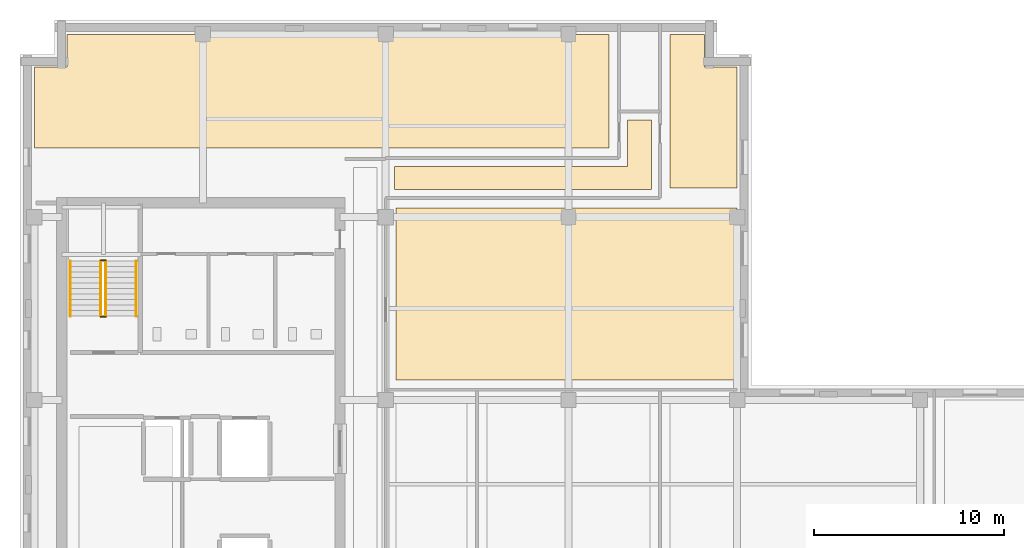
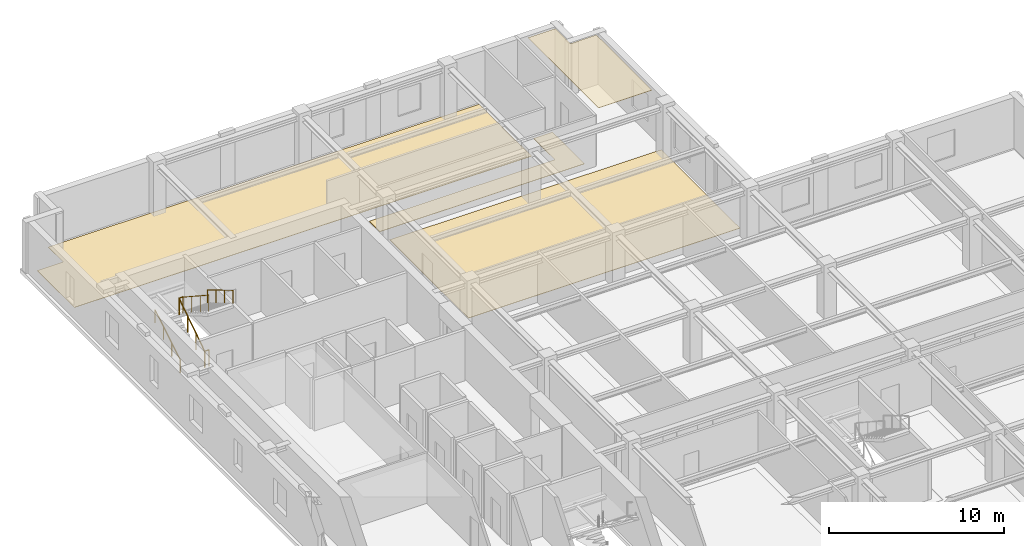
# One storey, part 9 of 10: 6 railings, 4 coverings.
"""IFC4 building model written with IfcOpenShell, lengths in metres."""

from ifc_helpers import new_model, si_unit, direction, frame, origin, origin_2d, place, context, subcontext, project, spatial, polyline, circle, outline, extrude, material, layer, layer_set, type_object, element, save


model = new_model("IFC4")

# Units and contexts
model_context = context("Model", 3, precision=1e-05, world=origin(), true_north=direction((0.0, 1.0)))
body_context = subcontext(model_context, "Body", "Model", "MODEL_VIEW")
ifc_project = project(units=[si_unit("LENGTHUNIT", "METRE"), si_unit("AREAUNIT", "SQUARE_METRE"), si_unit("VOLUMEUNIT", "CUBIC_METRE"), si_unit("PLANEANGLEUNIT", "RADIAN"), si_unit("MASSUNIT", "GRAM", prefix="KILO")], contexts=[model_context])

# Site, building, storey
site_placement = place(None, origin())
site = spatial("IfcSite", under=ifc_project, at=site_placement, CompositionType="ELEMENT")
building_placement = place(site_placement, origin())
building = spatial("IfcBuilding", under=site, at=building_placement, Name="Norrvale University Quadrangle", CompositionType="ELEMENT")
storey_placement = place(building_placement, frame((0.0, 0.0, 229.39990234375)))
storey = spatial("IfcBuildingStorey", under=building, at=storey_placement, Name="L58", CompositionType="ELEMENT", Elevation=229.39990234375)

# Coverings
ifc_material_1 = material(Name="Perforated Acoustic Mineral Ceiling")
ifc_layer_1 = layer(ifc_material_1, 0.02490234375, Name="Perforated Acoustic Mineral Ceiling")
ifc_layer_set_1 = layer_set([ifc_layer_1], Name="Perforated Acoustic Mineral Ceiling")
covering_type_1 = type_object("IfcCoveringType", Name="Covering Acoustic Ceiling 25", PredefinedType="CEILING", material=ifc_layer_set_1)
covering_1_placement = place(storey_placement, frame((0.0, 0.0, 3.51513671875)))
element("IfcCovering", 1, at=covering_1_placement, inside=storey, type_object=covering_type_1, Name="Acoustic Ceiling RM-L58-NE01", PredefinedType="CEILING", context=body_context, shape_type="SweptSolid", body=[
    extrude(outline(polyline([(37.64990234375, 48.780029296875), (34.1298828125, 48.780029296875), (34.1298828125, 56.85009765625), (35.929931640625, 56.85009765625), (35.929931640625, 55.1298828125), (37.64990234375, 55.1298828125), (37.64990234375, 48.780029296875)])), origin(), (0.0, 0.0, 1.0), 0.02490234375),
])
ifc_material_2 = material(Name="Polished Terrazzo Flooring")
ifc_layer_2 = layer(ifc_material_2, 0.02490234375, Name="Polished Terrazzo Flooring")
ifc_layer_set_2 = layer_set([ifc_layer_2], Name="Polished Terrazzo Flooring")
covering_type_2 = type_object("IfcCoveringType", Name="Covering Terrazzo Floor 30", PredefinedType="FLOORING", material=ifc_layer_set_2)
covering_2_placement = place(storey_placement, origin())
element("IfcCovering", 2, at=covering_2_placement, inside=storey, type_object=covering_type_2, Name="Terrazzo Flooring RM-L58-NCJOG", PredefinedType="FLOORING", context=body_context, shape_type="SweptSolid", body=[
    extrude(outline(polyline([(19.64990234375, 48.699951171875), (19.64990234375, 49.89990234375), (31.89990234375, 49.89990234375), (31.89990234375, 52.35009765625), (33.14990234375, 52.35009765625), (33.14990234375, 48.699951171875), (19.64990234375, 48.699951171875)])), origin(), (0.0, 0.0, 1.0), 0.025146484375),
])
covering_3_placement = place(storey_placement, origin())
element("IfcCovering", 3, at=covering_3_placement, inside=storey, type_object=covering_type_2, Name="Terrazzo Flooring RM-L58-MNE01", PredefinedType="FLOORING", context=body_context, shape_type="SweptSolid", body=[
    extrude(outline(polyline([(19.72998046875, 47.719970703125), (37.64990234375, 47.719970703125), (37.64990234375, 38.7099609375), (19.72998046875, 38.7099609375), (19.72998046875, 47.719970703125)])), origin(), (0.0, 0.0, 1.0), 0.025146484375),
])
covering_4_placement = place(storey_placement, origin())
element("IfcCovering", 4, at=covering_4_placement, inside=storey, type_object=covering_type_2, Name="Terrazzo Flooring RM-L58-NW01", PredefinedType="FLOORING", context=body_context, shape_type="SweptSolid", body=[
    extrude(outline(polyline([(30.919921875, 56.85009765625), (30.919921875, 50.8798828125), (0.75, 50.8798828125), (0.75, 55.1298828125), (2.469970703125, 55.1298828125), (2.469970703125, 56.85009765625), (30.919921875, 56.85009765625)])), origin(), (0.0, 0.0, 1.0), 0.025146484375),
])

# Railings
ifc_material_3 = material(Name="Steel 350W Painted Balustrade", Category="steel")
railing_type_1 = type_object("IfcRailingType", Name="Railing Stair Guard 1100", PredefinedType="GUARDRAIL", material=ifc_material_3)
for number, where, name in (
    (5, (4.239990234375, 42.02001953125, 0.0), "Stair Floor Well Guard ST-02 L58"),
    (6, (4.239990234375, 44.97998046875, 1.900146484375), "Stair Mid-Landing Slot Guard ST-02 L58"),
):
    element("IfcRailing", number, at=place(storey_placement, frame(where)), inside=storey, type_object=railing_type_1, Name=name, PredefinedType="GUARDRAIL", context=body_context, shape_type="SweptSolid", body=[
        extrude(circle(Radius=0.02392578125, at=origin_2d()), frame((0.0, 0.0, 1.1259765625), z_axis=(1.0, 0.0, 0.0), x_axis=(0.0, 1.0, 0.0)), (0.0, 0.0, 1.0), 0.27001953125),
        extrude(circle(Radius=0.02099609375, at=origin_2d()), origin(), (0.0, 0.0, 1.0), 1.101806640625),
        extrude(circle(Radius=0.02099609375, at=origin_2d()), frame((0.27001953125, 0.0, 0.0)), (0.0, 0.0, 1.0), 1.101806640625),
    ])
railing_1_placement = place(storey_placement, frame((4.239990234375, 42.050048828125, 0.0)))
element("IfcRailing", 7, at=railing_1_placement, inside=storey, type_object=railing_type_1, Name="Stair Lower Flight Inner Guard ST-02 L58", PredefinedType="GUARDRAIL", context=body_context, shape_type="SweptSolid", body=[
    extrude(circle(Radius=0.02392578125, at=origin_2d()), frame((0.0, 0.0, 1.1259765625), z_axis=(0.0, 0.836433300813, 0.548068730445), x_axis=(-1.0, 0.0, 0.0)), (0.0, 0.0, 1.0), 3.467041015625),
    extrude(circle(Radius=0.02099609375, at=origin_2d()), origin(), (0.0, 0.0, 1.0), 1.101806640625),
    extrude(circle(Radius=0.02099609375, at=origin_2d()), frame((0.0, 0.966552734375, 0.63330078125)), (0.0, 0.0, 1.0), 1.101806640625),
    extrude(circle(Radius=0.02099609375, at=origin_2d()), frame((0.0, 1.933349609375, 1.266845703125)), (0.0, 0.0, 1.0), 1.101806640625),
    extrude(circle(Radius=0.02099609375, at=origin_2d()), frame((0.0, 2.89990234375, 1.900146484375)), (0.0, 0.0, 1.0), 1.101806640625),
])
railing_2_placement = place(storey_placement, frame((4.510009765625, 44.949951171875, 1.900146484375)))
element("IfcRailing", 8, at=railing_2_placement, inside=storey, type_object=railing_type_1, Name="Stair Upper Flight Inner Guard ST-02 L58", PredefinedType="GUARDRAIL", context=body_context, shape_type="SweptSolid", body=[
    extrude(circle(Radius=0.02392578125, at=origin_2d()), frame((0.0, 0.0, 1.1259765625), z_axis=(0.0, -0.836465582154, 0.548019461216), x_axis=(1.0, 0.0, 0.0)), (0.0, 0.0, 1.0), 3.466796875),
    extrude(circle(Radius=0.02099609375, at=origin_2d()), origin(), (0.0, 0.0, 1.0), 1.101806640625),
    extrude(circle(Radius=0.02099609375, at=origin_2d()), frame((0.0, -0.966552734375, 0.63330078125)), (0.0, 0.0, 1.0), 1.101806640625),
    extrude(circle(Radius=0.02099609375, at=origin_2d()), frame((0.0, -1.933349609375, 1.2666015625)), (0.0, 0.0, 1.0), 1.101806640625),
    extrude(circle(Radius=0.02099609375, at=origin_2d()), frame((0.0, -2.89990234375, 1.89990234375)), (0.0, 0.0, 1.0), 1.101806640625),
])
ifc_material_4 = material(Name="Stainless Steel 316L Handrail", Category="steel")
railing_type_2 = type_object("IfcRailingType", Name="Railing Stair Handrail 920", PredefinedType="HANDRAIL", material=ifc_material_4)
railing_3_placement = place(storey_placement, frame((2.639892578125, 42.050048828125, 0.1728515625)))
element("IfcRailing", 9, at=railing_3_placement, inside=storey, type_object=railing_type_2, Name="Stair Lower Flight Handrail ST-02 L58", PredefinedType="HANDRAIL", context=body_context, shape_type="SweptSolid", body=[
    extrude(circle(Radius=0.02392578125, at=origin_2d()), frame((0.0, 0.0, 0.89599609375), z_axis=(0.0, 0.859141464434, 0.511738159696), x_axis=(-1.0, 0.0, 0.0)), (0.0, 0.0, 1.0), 3.375244140625),
    extrude(circle(Radius=0.02099609375, at=origin_2d()), origin(), (0.0, 0.0, 1.0), 0.871826171875),
    extrude(circle(Radius=0.02099609375, at=origin_2d()), frame((0.0, 0.966552734375, 0.57568359375)), (0.0, 0.0, 1.0), 0.871826171875),
    extrude(circle(Radius=0.02099609375, at=origin_2d()), frame((0.0, 1.933349609375, 1.151611328125)), (0.0, 0.0, 1.0), 0.871826171875),
    extrude(circle(Radius=0.02099609375, at=origin_2d()), frame((0.0, 2.89990234375, 1.727294921875)), (0.0, 0.0, 1.0), 0.871826171875),
])
railing_4_placement = place(storey_placement, frame((6.110107421875, 44.949951171875, 2.07275390625)))
element("IfcRailing", 10, at=railing_4_placement, inside=storey, type_object=railing_type_2, Name="Stair Upper Flight Handrail ST-02 L58", PredefinedType="HANDRAIL", context=body_context, shape_type="SweptSolid", body=[
    extrude(circle(Radius=0.02392578125, at=origin_2d()), frame((0.0, 0.0, 0.89599609375), z_axis=(0.0, -0.859141464434, 0.511738159696), x_axis=(1.0, 0.0, 0.0)), (0.0, 0.0, 1.0), 3.375244140625),
    extrude(circle(Radius=0.02099609375, at=origin_2d()), origin(), (0.0, 0.0, 1.0), 0.871826171875),
    extrude(circle(Radius=0.02099609375, at=origin_2d()), frame((0.0, -0.966552734375, 0.57568359375)), (0.0, 0.0, 1.0), 0.871826171875),
    extrude(circle(Radius=0.02099609375, at=origin_2d()), frame((0.0, -1.933349609375, 1.151611328125)), (0.0, 0.0, 1.0), 0.871826171875),
    extrude(circle(Radius=0.02099609375, at=origin_2d()), frame((0.0, -2.89990234375, 1.727294921875)), (0.0, 0.0, 1.0), 0.871826171875),
])

save(model, "model.ifc")
